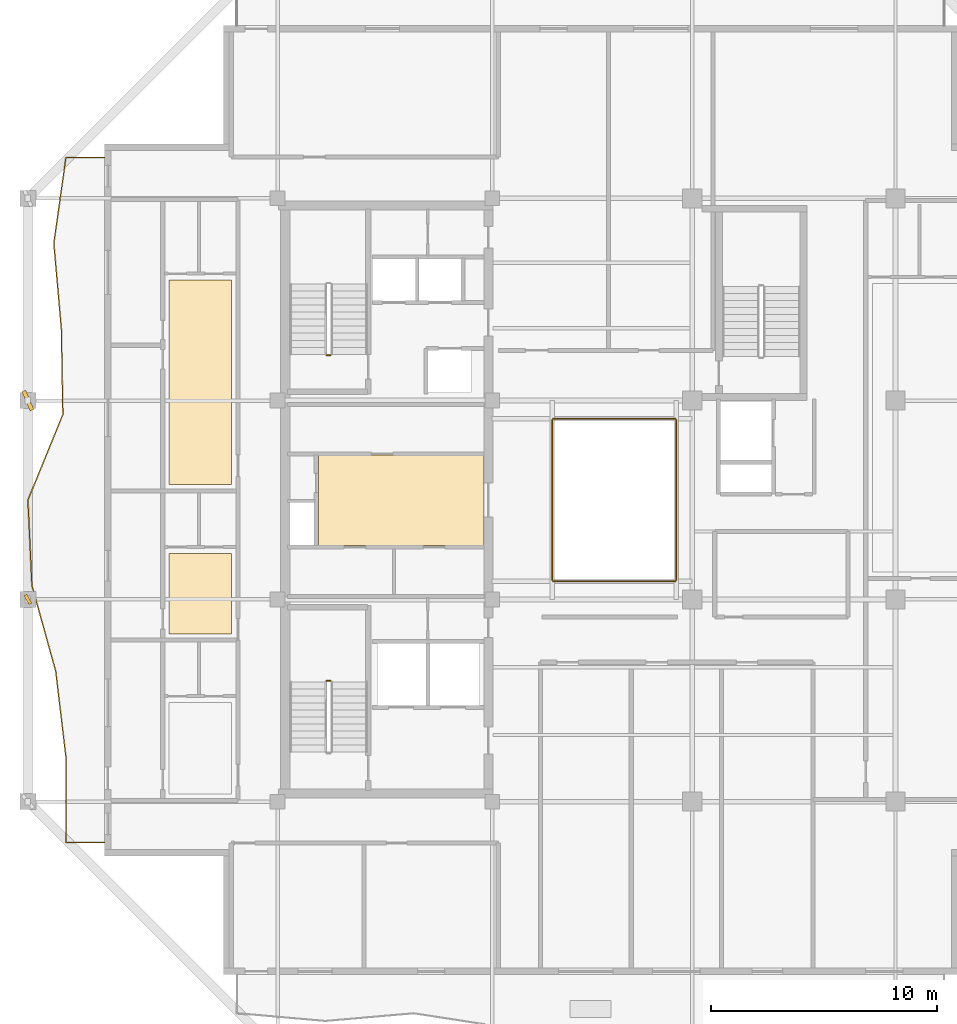
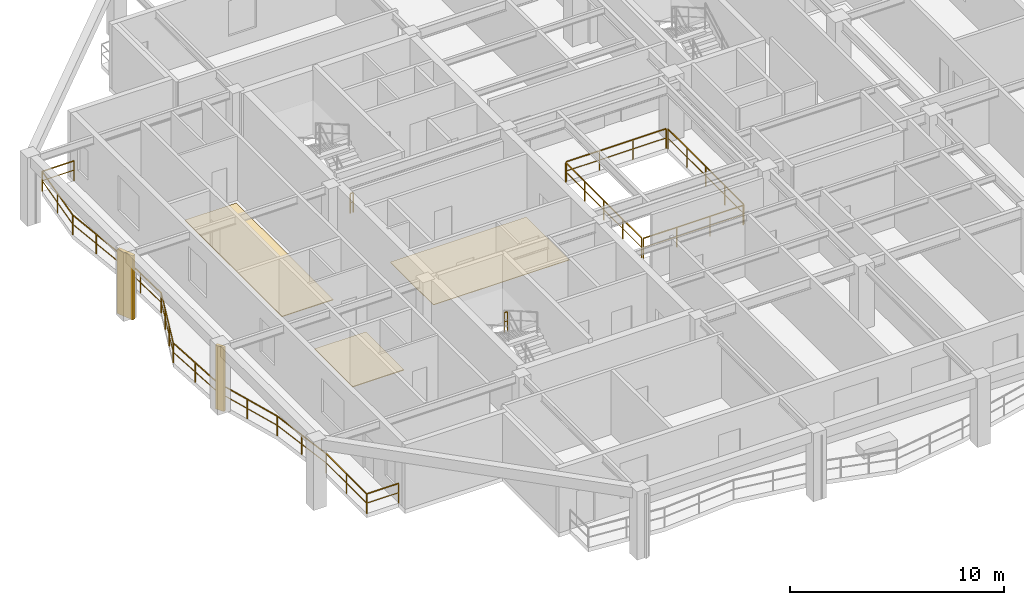
# One storey, part 8 of 11: 7 railings, 3 coverings, 2 shading devices.
"""IFC4 building model written with IfcOpenShell, lengths in metres."""

from ifc_helpers import new_model, si_unit, direction, frame, origin, origin_2d, place, context, subcontext, project, spatial, polyline, rectangle, outline, extrude, material, layer, layer_set, type_object, element, save


model = new_model("IFC4")

# Units and contexts
model_context = context("Model", 3, precision=1e-05, world=origin(), true_north=direction((0.0, 1.0)))
body_context = subcontext(model_context, "Body", "Model", "MODEL_VIEW")
ifc_project = project(units=[si_unit("LENGTHUNIT", "METRE"), si_unit("AREAUNIT", "SQUARE_METRE"), si_unit("VOLUMEUNIT", "CUBIC_METRE"), si_unit("PLANEANGLEUNIT", "RADIAN"), si_unit("MASSUNIT", "GRAM", prefix="KILO")], contexts=[model_context])

# Site, building, storey
site_placement = place(None, origin())
site = spatial("IfcSite", under=ifc_project, at=site_placement, CompositionType="ELEMENT")
building_placement = place(site_placement, origin())
building = spatial("IfcBuilding", under=site, at=building_placement, Name="Kundavana Baori Tower", CompositionType="ELEMENT")
storey_placement = place(building_placement, frame((0.0, 0.0, 260.89990234375)))
storey = spatial("IfcBuildingStorey", under=building, at=storey_placement, Name="L64", CompositionType="ELEMENT", Elevation=260.89990234375)

# Coverings
ifc_material_1 = material(Name="Honed Kota Stone and Terrazzo Flooring", Category="masonry")
ifc_layer_1 = layer(ifc_material_1, 0.0400390625, Name="COV-FLR-TERR-40")
ifc_layer_set_1 = layer_set([ifc_layer_1], Name="Honed Kota Stone and Terrazzo Flooring")
covering_type_1 = type_object("IfcCoveringType", Name="COV-FLR-TERR-40", PredefinedType="FLOORING", material=ifc_layer_set_1)
covering_1_placement = place(storey_placement, origin())
element("IfcCovering", 1, at=covering_1_placement, inside=storey, type_object=covering_type_1, Name="L64 Room Finished Stone Flooring 2", PredefinedType="FLOORING", context=body_context, shape_type="SweptSolid", body=[
    extrude(outline(polyline([(10.64990234375, 22.679931640625), (13.419921875, 22.679931640625), (13.419921875, 26.239990234375), (10.64990234375, 26.239990234375), (10.64990234375, 22.679931640625)])), origin(), (0.0, 0.0, 1.0), 0.0400390625),
])
covering_2_placement = place(storey_placement, origin())
element("IfcCovering", 2, at=covering_2_placement, inside=storey, type_object=covering_type_1, Name="L64 Room Finished Stone Flooring 3", PredefinedType="FLOORING", context=body_context, shape_type="SweptSolid", body=[
    extrude(outline(polyline([(10.64990234375, 29.280029296875), (13.419921875, 29.280029296875), (13.419921875, 38.340087890625), (10.64990234375, 38.340087890625), (10.64990234375, 29.280029296875)])), origin(), (0.0, 0.0, 1.0), 0.0400390625),
])
ifc_material_2 = material(Name="Honed Kota Stone and Terrazzo Flooring", Category="masonry")
ifc_layer_2 = layer(ifc_material_2, 0.030029296875, Name="COV-INT-FLR")
ifc_layer_set_2 = layer_set([ifc_layer_2], Name="Honed Kota Stone and Terrazzo Flooring")
covering_type_2 = type_object("IfcCoveringType", Name="COV-INT-FLR", PredefinedType="FLOORING", material=ifc_layer_set_2)
covering_3_placement = place(storey_placement, origin())
element("IfcCovering", 3, at=covering_3_placement, inside=storey, type_object=covering_type_2, Name="L64 Core Lift Lobby Kota Stone Flooring", PredefinedType="FLOORING", context=body_context, shape_type="SweptSolid", body=[
    extrude(outline(polyline([(17.25, 26.580078125), (24.580078125, 26.580078125), (24.580078125, 30.60009765625), (17.25, 30.60009765625), (17.25, 26.580078125)])), origin(), (0.0, 0.0, 1.0), 0.030029296875),
])

# Railings
ifc_material_3 = material(Name="Architectural Patinated Bronze Metalwork")
railing_type_1 = type_object("IfcRailingType", Name="RL-BAL-1150", PredefinedType="BALUSTRADE", material=ifc_material_3)
railing_1_placement = place(storey_placement, frame((7.800048828125, 13.449951171875, 0.0)))
element("IfcRailing", 4, at=railing_1_placement, inside=storey, type_object=railing_type_1, Name="L64 Loggia Balcony Balustrade W", PredefinedType="BALUSTRADE", context=body_context, shape_type="SweptSolid", body=[
    extrude(rectangle(XDim=0.048095703125, YDim=0.048095703125, at=origin_2d()), frame((0.0, 0.0, 1.1259765625), z_axis=(-1.0, 0.0, 0.0), x_axis=(0.0, -1.0, 0.0)), (0.0, 0.0, 1.0), 1.719970703125),
    extrude(rectangle(XDim=0.03125, YDim=0.03125, at=origin_2d()), frame((0.0, 0.0, 0.597900390625), z_axis=(-1.0, 0.0, 0.0), x_axis=(0.0, -1.0, 0.0)), (0.0, 0.0, 1.0), 1.719970703125),
    extrude(rectangle(XDim=0.048095703125, YDim=0.048095703125, at=origin_2d()), frame((-1.719970703125, 0.0, 1.1259765625), z_axis=(-0.000580046306, 0.999999831773, 0.0), x_axis=(-0.999999831773, -0.000580046306, 0.0)), (0.0, 0.0, 1.0), 3.7880859375),
    extrude(rectangle(XDim=0.03125, YDim=0.03125, at=origin_2d()), frame((-1.719970703125, 0.0, 0.597900390625), z_axis=(-0.000580046306, 0.999999831773, 0.0), x_axis=(-0.999999831773, -0.000580046306, 0.0)), (0.0, 0.0, 1.0), 3.7880859375),
    extrude(rectangle(XDim=0.048095703125, YDim=0.048095703125, at=origin_2d()), frame((-1.72216796875, 3.7880859375, 1.1259765625), z_axis=(-0.118241445606, 0.992984874276, 0.0), x_axis=(-0.992984874276, -0.118241445606, 0.0)), (0.0, 0.0, 1.0), 3.813720703125),
    extrude(rectangle(XDim=0.03125, YDim=0.03125, at=origin_2d()), frame((-1.72216796875, 3.7880859375, 0.597900390625), z_axis=(-0.118241445606, 0.992984874276, 0.0), x_axis=(-0.992984874276, -0.118241445606, 0.0)), (0.0, 0.0, 1.0), 3.813720703125),
    extrude(rectangle(XDim=0.048095703125, YDim=0.048095703125, at=origin_2d()), frame((-2.173095703125, 7.574951171875, 1.1259765625), z_axis=(-0.267188862303, 0.963644183224, 0.0), x_axis=(-0.963644183224, -0.267188862303, 0.0)), (0.0, 0.0, 1.0), 3.929931640625),
    extrude(rectangle(XDim=0.03125, YDim=0.03125, at=origin_2d()), frame((-2.173095703125, 7.574951171875, 0.597900390625), z_axis=(-0.267188862303, 0.963644183224, 0.0), x_axis=(-0.963644183224, -0.267188862303, 0.0)), (0.0, 0.0, 1.0), 3.929931640625),
    extrude(rectangle(XDim=0.048095703125, YDim=0.048095703125, at=origin_2d()), frame((-3.22314453125, 11.362060546875, 1.1259765625), z_axis=(-0.04667503492, 0.998910126646, 0.0), x_axis=(-0.998910126646, -0.04667503492, 0.0)), (0.0, 0.0, 1.0), 3.792236328125),
    extrude(rectangle(XDim=0.03125, YDim=0.03125, at=origin_2d()), frame((-3.22314453125, 11.362060546875, 0.597900390625), z_axis=(-0.04667503492, 0.998910126646, 0.0), x_axis=(-0.998910126646, -0.04667503492, 0.0)), (0.0, 0.0, 1.0), 3.792236328125),
    extrude(rectangle(XDim=0.048095703125, YDim=0.048095703125, at=origin_2d()), frame((-3.400146484375, 15.150146484375, 1.1259765625), z_axis=(0.377710111152, 0.925923901805, 0.0), x_axis=(-0.925923901805, 0.377710111152, 0.0)), (0.0, 0.0, 1.0), 4.0908203125),
    extrude(rectangle(XDim=0.03125, YDim=0.03125, at=origin_2d()), frame((-3.400146484375, 15.150146484375, 0.597900390625), z_axis=(0.377710111152, 0.925923901805, 0.0), x_axis=(-0.925923901805, 0.377710111152, 0.0)), (0.0, 0.0, 1.0), 4.0908203125),
    extrude(rectangle(XDim=0.048095703125, YDim=0.048095703125, at=origin_2d()), frame((-1.85498046875, 18.93798828125, 1.1259765625), z_axis=(-0.017983166764, 0.999838289781, 0.0), x_axis=(-0.999838289781, -0.017983166764, 0.0)), (0.0, 0.0, 1.0), 3.787841796875),
    extrude(rectangle(XDim=0.03125, YDim=0.03125, at=origin_2d()), frame((-1.85498046875, 18.93798828125, 0.597900390625), z_axis=(-0.017983166764, 0.999838289781, 0.0), x_axis=(-0.999838289781, -0.017983166764, 0.0)), (0.0, 0.0, 1.0), 3.787841796875),
    extrude(rectangle(XDim=0.048095703125, YDim=0.048095703125, at=origin_2d()), frame((-1.923095703125, 22.72509765625, 1.1259765625), z_axis=(-0.087599540451, 0.996155771209, 0.0), x_axis=(-0.996155771209, -0.087599540451, 0.0)), (0.0, 0.0, 1.0), 3.801513671875),
    extrude(rectangle(XDim=0.03125, YDim=0.03125, at=origin_2d()), frame((-1.923095703125, 22.72509765625, 0.597900390625), z_axis=(-0.087599540451, 0.996155771209, 0.0), x_axis=(-0.996155771209, -0.087599540451, 0.0)), (0.0, 0.0, 1.0), 3.801513671875),
    extrude(rectangle(XDim=0.048095703125, YDim=0.048095703125, at=origin_2d()), frame((-2.256103515625, 26.511962890625, 1.1259765625), z_axis=(0.140134753834, 0.990132441024, 0.0), x_axis=(-0.990132441024, 0.140134753834, 0.0)), (0.0, 0.0, 1.0), 3.825927734375),
    extrude(rectangle(XDim=0.03125, YDim=0.03125, at=origin_2d()), frame((-2.256103515625, 26.511962890625, 0.597900390625), z_axis=(0.140134753834, 0.990132441024, 0.0), x_axis=(-0.990132441024, 0.140134753834, 0.0)), (0.0, 0.0, 1.0), 3.825927734375),
    extrude(rectangle(XDim=0.048095703125, YDim=0.048095703125, at=origin_2d()), frame((-1.719970703125, 30.300048828125, 1.1259765625), z_axis=(1.0, 0.0, 0.0), x_axis=(0.0, 1.0, 0.0)), (0.0, 0.0, 1.0), 1.719970703125),
    extrude(rectangle(XDim=0.03125, YDim=0.03125, at=origin_2d()), frame((-1.719970703125, 30.300048828125, 0.597900390625), z_axis=(1.0, 0.0, 0.0), x_axis=(0.0, 1.0, 0.0)), (0.0, 0.0, 1.0), 1.719970703125),
    extrude(rectangle(XDim=0.0419921875, YDim=0.0419921875, at=origin_2d()), origin(), (0.0, 0.0, 1.0), 1.101806640625),
    extrude(rectangle(XDim=0.0419921875, YDim=0.0419921875, at=origin_2d()), frame((-1.719970703125, 0.0, 0.0)), (0.0, 0.0, 1.0), 1.101806640625),
    extrude(rectangle(XDim=0.0419921875, YDim=0.0419921875, at=origin_2d()), frame((-1.72119140625, 1.89404296875, 0.0)), (0.0, 0.0, 1.0), 1.101806640625),
    extrude(rectangle(XDim=0.0419921875, YDim=0.0419921875, at=origin_2d()), frame((-1.72216796875, 3.7880859375, 0.0)), (0.0, 0.0, 1.0), 1.101806640625),
    extrude(rectangle(XDim=0.0419921875, YDim=0.0419921875, at=origin_2d()), frame((-1.94775390625, 5.681640625, 0.0)), (0.0, 0.0, 1.0), 1.101806640625),
    extrude(rectangle(XDim=0.0419921875, YDim=0.0419921875, at=origin_2d()), frame((-2.173095703125, 7.574951171875, 0.0)), (0.0, 0.0, 1.0), 1.101806640625),
    extrude(rectangle(XDim=0.0419921875, YDim=0.0419921875, at=origin_2d()), frame((-2.6982421875, 9.468505859375, 0.0)), (0.0, 0.0, 1.0), 1.101806640625),
    extrude(rectangle(XDim=0.0419921875, YDim=0.0419921875, at=origin_2d()), frame((-3.22314453125, 11.362060546875, 0.0)), (0.0, 0.0, 1.0), 1.101806640625),
    extrude(rectangle(XDim=0.0419921875, YDim=0.0419921875, at=origin_2d()), frame((-3.3115234375, 13.256103515625, 0.0)), (0.0, 0.0, 1.0), 1.101806640625),
    extrude(rectangle(XDim=0.0419921875, YDim=0.0419921875, at=origin_2d()), frame((-3.400146484375, 15.150146484375, 0.0)), (0.0, 0.0, 1.0), 1.101806640625),
    extrude(rectangle(XDim=0.0419921875, YDim=0.0419921875, at=origin_2d()), frame((-2.885009765625, 16.412841796875, 0.0)), (0.0, 0.0, 1.0), 1.101806640625),
    extrude(rectangle(XDim=0.0419921875, YDim=0.0419921875, at=origin_2d()), frame((-2.3701171875, 17.67529296875, 0.0)), (0.0, 0.0, 1.0), 1.101806640625),
    extrude(rectangle(XDim=0.0419921875, YDim=0.0419921875, at=origin_2d()), frame((-1.85498046875, 18.93798828125, 0.0)), (0.0, 0.0, 1.0), 1.101806640625),
    extrude(rectangle(XDim=0.0419921875, YDim=0.0419921875, at=origin_2d()), frame((-1.88916015625, 20.83154296875, 0.0)), (0.0, 0.0, 1.0), 1.101806640625),
    extrude(rectangle(XDim=0.0419921875, YDim=0.0419921875, at=origin_2d()), frame((-1.923095703125, 22.72509765625, 0.0)), (0.0, 0.0, 1.0), 1.101806640625),
    extrude(rectangle(XDim=0.0419921875, YDim=0.0419921875, at=origin_2d()), frame((-2.089599609375, 24.61865234375, 0.0)), (0.0, 0.0, 1.0), 1.101806640625),
    extrude(rectangle(XDim=0.0419921875, YDim=0.0419921875, at=origin_2d()), frame((-2.256103515625, 26.511962890625, 0.0)), (0.0, 0.0, 1.0), 1.101806640625),
    extrude(rectangle(XDim=0.0419921875, YDim=0.0419921875, at=origin_2d()), frame((-1.988037109375, 28.406005859375, 0.0)), (0.0, 0.0, 1.0), 1.101806640625),
    extrude(rectangle(XDim=0.0419921875, YDim=0.0419921875, at=origin_2d()), frame((-1.719970703125, 30.300048828125, 0.0)), (0.0, 0.0, 1.0), 1.101806640625),
    extrude(rectangle(XDim=0.0419921875, YDim=0.0419921875, at=origin_2d()), frame((0.0, 30.300048828125, 0.0)), (0.0, 0.0, 1.0), 1.101806640625),
])
ifc_material_4 = material(Name="Architectural Patinated Bronze Metalwork")
railing_type_2 = type_object("IfcRailingType", Name="RL-GRD-1150", PredefinedType="GUARDRAIL", material=ifc_material_4)
for number, where, name in (
    (5, (17.7900390625, 20.60009765625, 1.9501953125), "L64 ST1 stair guard 2"),
    (6, (17.7900390625, 35.0, 0.0), "L64 ST2 stair guard 4"),
):
    element("IfcRailing", number, at=place(storey_placement, frame(where)), inside=storey, type_object=railing_type_2, Name=name, PredefinedType="GUARDRAIL", context=body_context, shape_type="SweptSolid", body=[
        extrude(rectangle(XDim=0.048095703125, YDim=0.048095703125, at=origin_2d()), frame((0.0, 0.0, 1.1259765625), z_axis=(-1.0, 0.0, 0.0), x_axis=(0.0, -1.0, 0.0)), (0.0, 0.0, 1.0), 0.16015625),
        extrude(rectangle(XDim=0.03125, YDim=0.03125, at=origin_2d()), frame((0.0, 0.0, 0.597900390625), z_axis=(-1.0, 0.0, 0.0), x_axis=(0.0, -1.0, 0.0)), (0.0, 0.0, 1.0), 0.16015625),
        extrude(rectangle(XDim=0.0419921875, YDim=0.0419921875, at=origin_2d()), origin(), (0.0, 0.0, 1.0), 1.101806640625),
        extrude(rectangle(XDim=0.0419921875, YDim=0.0419921875, at=origin_2d()), frame((-0.16015625, 0.0, 0.0)), (0.0, 0.0, 1.0), 1.101806640625),
    ])
railing_2_placement = place(storey_placement, frame((27.659912109375, 25.0, 0.0)))
element("IfcRailing", 7, at=railing_2_placement, inside=storey, type_object=railing_type_2, Name="L64 Atrium Void Perimeter Guardrail S", PredefinedType="GUARDRAIL", context=body_context, shape_type="SweptSolid", body=[
    extrude(rectangle(XDim=0.048095703125, YDim=0.048095703125, at=origin_2d()), frame((0.0, 0.0, 1.1259765625), z_axis=(1.0, 0.0, 0.0), x_axis=(0.0, 1.0, 0.0)), (0.0, 0.0, 1.0), 5.380126953125),
    extrude(rectangle(XDim=0.03125, YDim=0.03125, at=origin_2d()), frame((0.0, 0.0, 0.597900390625), z_axis=(1.0, 0.0, 0.0), x_axis=(0.0, 1.0, 0.0)), (0.0, 0.0, 1.0), 5.380126953125),
    extrude(rectangle(XDim=0.0419921875, YDim=0.0419921875, at=origin_2d()), origin(), (0.0, 0.0, 1.0), 1.101806640625),
    extrude(rectangle(XDim=0.0419921875, YDim=0.0419921875, at=origin_2d()), frame((1.79345703125, 0.0, 0.0)), (0.0, 0.0, 1.0), 1.101806640625),
    extrude(rectangle(XDim=0.0419921875, YDim=0.0419921875, at=origin_2d()), frame((3.586669921875, 0.0, 0.0)), (0.0, 0.0, 1.0), 1.101806640625),
    extrude(rectangle(XDim=0.0419921875, YDim=0.0419921875, at=origin_2d()), frame((5.380126953125, 0.0, 0.0)), (0.0, 0.0, 1.0), 1.101806640625),
])
railing_3_placement = place(storey_placement, frame((33.10009765625, 25.06005859375, 0.0)))
element("IfcRailing", 8, at=railing_3_placement, inside=storey, type_object=railing_type_2, Name="L64 Atrium Void Perimeter Guardrail E", PredefinedType="GUARDRAIL", context=body_context, shape_type="SweptSolid", body=[
    extrude(rectangle(XDim=0.048095703125, YDim=0.048095703125, at=origin_2d()), frame((0.0, 0.0, 1.1259765625), z_axis=(0.0, 1.0, 0.0), x_axis=(-1.0, 0.0, 0.0)), (0.0, 0.0, 1.0), 7.079833984375),
    extrude(rectangle(XDim=0.03125, YDim=0.03125, at=origin_2d()), frame((0.0, 0.0, 0.597900390625), z_axis=(0.0, 1.0, 0.0), x_axis=(-1.0, 0.0, 0.0)), (0.0, 0.0, 1.0), 7.079833984375),
    extrude(rectangle(XDim=0.0419921875, YDim=0.0419921875, at=origin_2d()), origin(), (0.0, 0.0, 1.0), 1.101806640625),
    extrude(rectangle(XDim=0.0419921875, YDim=0.0419921875, at=origin_2d()), frame((0.0, 1.77001953125, 0.0)), (0.0, 0.0, 1.0), 1.101806640625),
    extrude(rectangle(XDim=0.0419921875, YDim=0.0419921875, at=origin_2d()), frame((0.0, 3.5400390625, 0.0)), (0.0, 0.0, 1.0), 1.101806640625),
    extrude(rectangle(XDim=0.0419921875, YDim=0.0419921875, at=origin_2d()), frame((0.0, 5.309814453125, 0.0)), (0.0, 0.0, 1.0), 1.101806640625),
    extrude(rectangle(XDim=0.0419921875, YDim=0.0419921875, at=origin_2d()), frame((0.0, 7.079833984375, 0.0)), (0.0, 0.0, 1.0), 1.101806640625),
])
railing_4_placement = place(storey_placement, frame((33.0400390625, 32.199951171875, 0.0)))
element("IfcRailing", 9, at=railing_4_placement, inside=storey, type_object=railing_type_2, Name="L64 Atrium Void Perimeter Guardrail N", PredefinedType="GUARDRAIL", context=body_context, shape_type="SweptSolid", body=[
    extrude(rectangle(XDim=0.048095703125, YDim=0.048095703125, at=origin_2d()), frame((0.0, 0.0, 1.1259765625), z_axis=(-1.0, 0.0, 0.0), x_axis=(0.0, -1.0, 0.0)), (0.0, 0.0, 1.0), 5.380126953125),
    extrude(rectangle(XDim=0.03125, YDim=0.03125, at=origin_2d()), frame((0.0, 0.0, 0.597900390625), z_axis=(-1.0, 0.0, 0.0), x_axis=(0.0, -1.0, 0.0)), (0.0, 0.0, 1.0), 5.380126953125),
    extrude(rectangle(XDim=0.0419921875, YDim=0.0419921875, at=origin_2d()), origin(), (0.0, 0.0, 1.0), 1.101806640625),
    extrude(rectangle(XDim=0.0419921875, YDim=0.0419921875, at=origin_2d()), frame((-1.79345703125, 0.0, 0.0)), (0.0, 0.0, 1.0), 1.101806640625),
    extrude(rectangle(XDim=0.0419921875, YDim=0.0419921875, at=origin_2d()), frame((-3.586669921875, 0.0, 0.0)), (0.0, 0.0, 1.0), 1.101806640625),
    extrude(rectangle(XDim=0.0419921875, YDim=0.0419921875, at=origin_2d()), frame((-5.380126953125, 0.0, 0.0)), (0.0, 0.0, 1.0), 1.101806640625),
])
railing_5_placement = place(storey_placement, frame((27.60009765625, 32.139892578125, 0.0)))
element("IfcRailing", 10, at=railing_5_placement, inside=storey, type_object=railing_type_2, Name="L64 Atrium Void Perimeter Guardrail W", PredefinedType="GUARDRAIL", context=body_context, shape_type="SweptSolid", body=[
    extrude(rectangle(XDim=0.048095703125, YDim=0.048095703125, at=origin_2d()), frame((0.0, 0.0, 1.1259765625), z_axis=(0.0, -1.0, 0.0), x_axis=(1.0, 0.0, 0.0)), (0.0, 0.0, 1.0), 7.079833984375),
    extrude(rectangle(XDim=0.03125, YDim=0.03125, at=origin_2d()), frame((0.0, 0.0, 0.597900390625), z_axis=(0.0, -1.0, 0.0), x_axis=(1.0, 0.0, 0.0)), (0.0, 0.0, 1.0), 7.079833984375),
    extrude(rectangle(XDim=0.0419921875, YDim=0.0419921875, at=origin_2d()), origin(), (0.0, 0.0, 1.0), 1.101806640625),
    extrude(rectangle(XDim=0.0419921875, YDim=0.0419921875, at=origin_2d()), frame((0.0, -1.77001953125, 0.0)), (0.0, 0.0, 1.0), 1.101806640625),
    extrude(rectangle(XDim=0.0419921875, YDim=0.0419921875, at=origin_2d()), frame((0.0, -3.5400390625, 0.0)), (0.0, 0.0, 1.0), 1.101806640625),
    extrude(rectangle(XDim=0.0419921875, YDim=0.0419921875, at=origin_2d()), frame((0.0, -5.309814453125, 0.0)), (0.0, 0.0, 1.0), 1.101806640625),
    extrude(rectangle(XDim=0.0419921875, YDim=0.0419921875, at=origin_2d()), frame((0.0, -7.079833984375, 0.0)), (0.0, 0.0, 1.0), 1.101806640625),
])

# Shading devices
ifc_material_5 = material(Name="Red-Buff Dholpur Sandstone Cladding on Concrete C40/50", Category="masonry")
shading_device_type_1 = type_object("IfcShadingDeviceType", Name="SHD-FIN-920", PredefinedType="JALOUSIE", material=ifc_material_5)
shading_device_1_placement = place(storey_placement, frame((4.39990234375, 33.0, 0.0), z_axis=(0.0, 0.0, 1.0), x_axis=(0.920709313603, 0.390249099737, 0.0)))
element("IfcShadingDevice", 11, at=shading_device_1_placement, inside=storey, type_object=shading_device_type_1, Name="L64 Sweeping Dholpur Sandstone Facade Fin 7", PredefinedType="JALOUSIE", context=body_context, shape_type="SweptSolid", body=[
    extrude(rectangle(XDim=0.179931640625, YDim=0.919921875, at=origin_2d()), origin(), (0.0, 0.0, 1.0), 3.659912109375),
])
ifc_material_6 = material(Name="Architectural Patinated Bronze Metalwork")
shading_device_type_2 = type_object("IfcShadingDeviceType", Name="SHD-LOUV-450", PredefinedType="SHUTTER", material=ifc_material_6)
shading_device_2_placement = place(storey_placement, frame((4.39990234375, 24.199951171875, 0.0), z_axis=(0.0, 0.0, 1.0), x_axis=(0.859406411501, 0.511293086077, 0.0)))
element("IfcShadingDevice", 12, at=shading_device_2_placement, inside=storey, type_object=shading_device_type_2, Name="L64 Sweeping Dholpur Sandstone Facade Fin 6", PredefinedType="SHUTTER", context=body_context, shape_type="SweptSolid", body=[
    extrude(rectangle(XDim=0.139892578125, YDim=0.449951171875, at=origin_2d()), origin(), (0.0, 0.0, 1.0), 3.659912109375),
])

save(model, "model.ifc")
